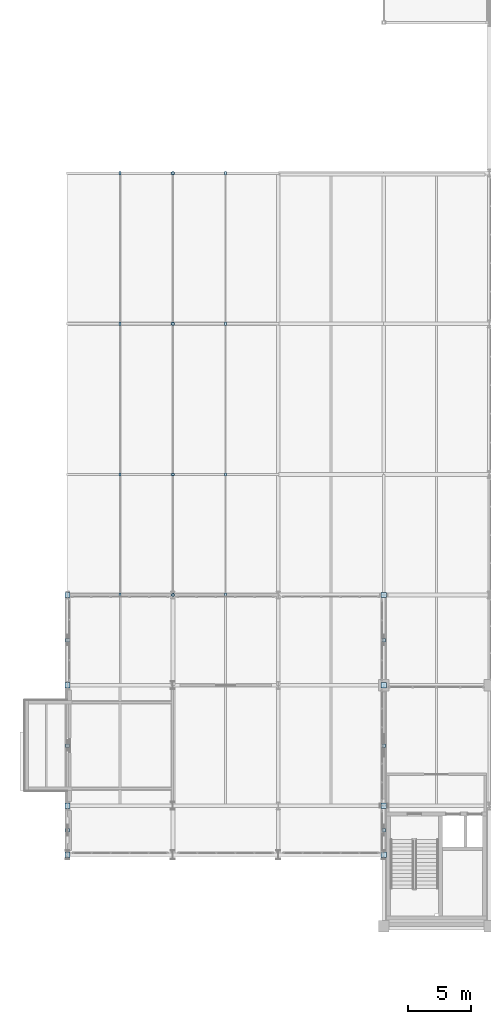
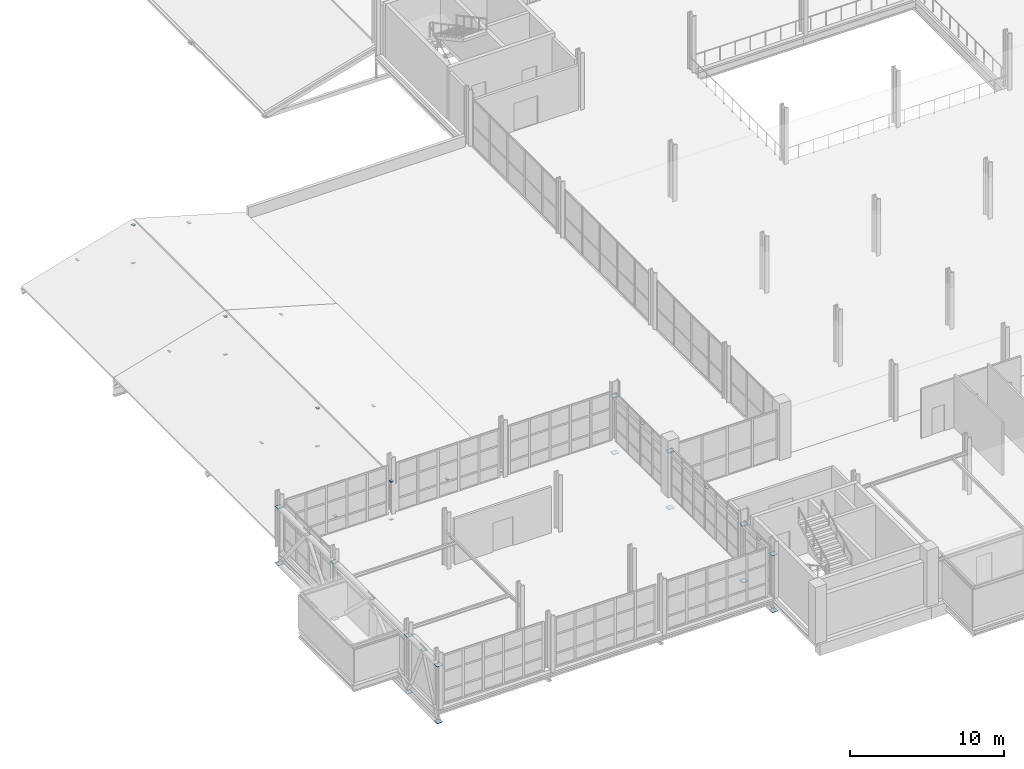
# One storey, part 114 of 130: 42 plates.
"""IFC4 building model written with IfcOpenShell, lengths in metres."""

from ifc_helpers import new_model, si_unit, direction, frame, origin, origin_2d, place, context, subcontext, project, spatial, rectangle, extrude, material, layer, layer_set, type_object, element, save


model = new_model("IFC4")

# Units and contexts
model_context = context("Model", 3, precision=1e-05, world=origin(), true_north=direction((0.0, 1.0)))
body_context = subcontext(model_context, "Body", "Model", "MODEL_VIEW")
ifc_project = project(units=[si_unit("LENGTHUNIT", "METRE"), si_unit("AREAUNIT", "SQUARE_METRE"), si_unit("VOLUMEUNIT", "CUBIC_METRE"), si_unit("PLANEANGLEUNIT", "RADIAN"), si_unit("MASSUNIT", "GRAM", prefix="KILO")], contexts=[model_context])

# Site, building, storey
site_placement = place(None, origin())
site = spatial("IfcSite", under=ifc_project, at=site_placement, CompositionType="ELEMENT")
building_placement = place(site_placement, origin())
building = spatial("IfcBuilding", under=site, at=building_placement, Name="Veltarok Museum of Natural Sciences", CompositionType="ELEMENT")
storey_placement = place(building_placement, frame((0.0, 0.0, 12.89990234375)))
storey = spatial("IfcBuildingStorey", under=building, at=storey_placement, Name="L02", CompositionType="ELEMENT", Elevation=12.89990234375)

# Plates
ifc_material = material(Name="Steel S355J2", Category="steel")
ifc_layer_1 = layer(ifc_material, 0.01611328125)
ifc_layer_set_1 = layer_set([ifc_layer_1], Name="Steel S355J2")
plate_type_1 = type_object("IfcPlateType", Name="Hollow End Closure Plate 260x170x16", PredefinedType="USERDEFINED", material=ifc_layer_set_1)
for number, where, z_axis, x_axis, name in (
    (1, (14.800048828125, 26.39990234375, -0.60400390625), (0.0, 0.0, 1.0), (1.0, 0.0, 0.0), "End Cap Plate CP-180 380"),
    (2, (14.800048828125, 26.39990234375, 2.44921875), (0.0, 0.0, 1.0), (1.0, 0.0, 0.0), "End Cap Plate CP-180 381"),
    (3, (14.800048828125, 36.0, -0.60400390625), (0.0, 0.0, 1.0), (1.0, 0.0, 0.0), "End Cap Plate CP-180 382"),
    (4, (14.800048828125, 36.0, 2.44921875), (0.0, 0.0, 1.0), (1.0, 0.0, 0.0), "End Cap Plate CP-180 383"),
    (5, (14.800048828125, 48.0, -0.60400390625), (0.0, 0.0, 1.0), (1.0, 0.0, 0.0), "End Cap Plate CP-180 384"),
    (6, (14.800048828125, 48.0, 2.44921875), (0.0, 0.0, 1.0), (1.0, 0.0, 0.0), "End Cap Plate CP-180 385"),
    (7, (14.800048828125, 60.0, -0.60400390625), (0.0, 0.0, 1.0), (1.0, 0.0, 0.0), "End Cap Plate CP-180 386"),
    (8, (14.800048828125, 60.0, 2.44921875), (0.0, 0.0, 1.0), (1.0, 0.0, 0.0), "End Cap Plate CP-180 387"),
    (9, (14.800048828125, 26.404052734375, 2.4130859375), (0.0, 0.0, 1.0), (0.0, 1.0, 0.0), "End Cap Plate CP-180 388"),
    (10, (14.800048828125, 35.99609375, 2.4130859375), (0.0, 0.0, 1.0), (0.0, 1.0, 0.0), "End Cap Plate CP-180 389"),
    (11, (14.800048828125, 47.99609375, 2.4130859375), (0.0, 0.0, 1.0), (0.0, 1.0, 0.0), "End Cap Plate CP-180 390"),
    (12, (14.800048828125, 59.99609375, 2.4130859375), (0.0, 0.0, 1.0), (0.0, 1.0, 0.0), "End Cap Plate CP-180 391"),
    (13, (10.60009765625, 26.404052734375, 1.128173828125), (0.0, 0.0, 1.0), (0.0, 1.0, 0.0), "End Cap Plate CP-180 392"),
    (14, (10.60009765625, 35.99609375, 1.128173828125), (0.0, 0.0, 1.0), (0.0, 1.0, 0.0), "End Cap Plate CP-180 393"),
    (15, (10.60009765625, 47.99609375, 1.128173828125), (0.0, 0.0, 1.0), (0.0, 1.0, 0.0), "End Cap Plate CP-180 394"),
    (16, (10.60009765625, 59.99609375, 1.128173828125), (0.0, 0.0, 1.0), (0.0, 1.0, 0.0), "End Cap Plate CP-180 395"),
    (17, (19.0, 26.404052734375, 1.128173828125), (0.0, 0.0, 1.0), (0.0, 1.0, 0.0), "End Cap Plate CP-180 396"),
    (18, (19.0, 35.99609375, 1.128173828125), (0.0, 0.0, 1.0), (0.0, 1.0, 0.0), "End Cap Plate CP-180 397"),
    (19, (19.0, 47.99609375, 1.128173828125), (0.0, 0.0, 1.0), (0.0, 1.0, 0.0), "End Cap Plate CP-180 398"),
    (20, (19.0, 59.99609375, 1.128173828125), (0.0, 0.0, 1.0), (0.0, 1.0, 0.0), "End Cap Plate CP-180 399"),
):
    element("IfcPlate", number, at=place(storey_placement, frame(where, z_axis=z_axis, x_axis=x_axis)), inside=storey, type_object=plate_type_1, Name=name, ObjectType="END CAP PLATE", PredefinedType="USERDEFINED", context=body_context, shape_type="SweptSolid", body=[
        extrude(rectangle(XDim=0.260009765625, YDim=0.169921875, at=origin_2d()), origin(), (0.0, 0.0, 1.0), 0.01611328125),
    ])
ifc_layer_2 = layer(ifc_material, 0.02001953125)
ifc_layer_set_2 = layer_set([ifc_layer_2], Name="Steel S355J2")
plate_type_2 = type_object("IfcPlateType", Name="Hollow End Closure Plate D290x20", PredefinedType="USERDEFINED", material=ifc_layer_set_2)
for number, where, z_axis, x_axis, name in (
    (21, (6.39990234375, 7.6484375, 3.31640625), (0.0, 0.0, 1.0), (0.0, 1.0, 0.0), "End Cap Plate CP-273 182"),
    (22, (6.39990234375, 14.39697265625, 3.3173828125), (0.0, 0.0, 1.0), (0.0, 1.0, 0.0), "End Cap Plate CP-273 185"),
    (23, (6.39990234375, 22.797607421875, 3.31689453125), (0.0, 0.0, 1.0), (0.0, 1.0, 0.0), "End Cap Plate CP-273 188"),
    (24, (31.60009765625, 7.6484375, 3.31640625), (0.0, 0.0, 1.0), (0.0, 1.0, 0.0), "End Cap Plate CP-273 193"),
    (25, (31.60009765625, 14.39697265625, 3.3173828125), (0.0, 0.0, 1.0), (0.0, 1.0, 0.0), "End Cap Plate CP-273 196"),
    (26, (31.60009765625, 22.797607421875, 3.31689453125), (0.0, 0.0, 1.0), (0.0, 1.0, 0.0), "End Cap Plate CP-273 199"),
):
    element("IfcPlate", number, at=place(storey_placement, frame(where, z_axis=z_axis, x_axis=x_axis)), inside=storey, type_object=plate_type_2, Name=name, ObjectType="END CAP PLATE", PredefinedType="USERDEFINED", context=body_context, shape_type="SweptSolid", body=[
        extrude(rectangle(XDim=0.2900390625, YDim=0.2900390625, at=origin_2d()), origin(), (0.0, 0.0, 1.0), 0.02001953125),
    ])
ifc_layer_3 = layer(ifc_material, 0.02001953125)
ifc_layer_set_3 = layer_set([ifc_layer_3], Name="Steel S355J2")
plate_type_3 = type_object("IfcPlateType", Name="Hollow End Closure Plate D420x20", PredefinedType="USERDEFINED", material=ifc_layer_set_3)
for number, where, z_axis, x_axis, name in (
    (27, (6.39990234375, 5.7041015625, -1.179931640625), (0.0, 0.0, 1.0), (0.0, 1.0, 0.0), "End Cap Plate CP-406 178"),
    (28, (6.39990234375, 9.595947265625, -1.179931640625), (0.0, 0.0, 1.0), (0.0, 1.0, 0.0), "End Cap Plate CP-406 179"),
    (29, (6.39990234375, 5.7041015625, 3.320068359375), (0.0, 0.0, 1.0), (0.0, 1.0, 0.0), "End Cap Plate CP-406 180"),
    (30, (6.39990234375, 9.595947265625, 3.320068359375), (0.0, 0.0, 1.0), (0.0, 1.0, 0.0), "End Cap Plate CP-406 181"),
    (31, (6.39990234375, 19.196044921875, -1.179931640625), (0.0, 0.0, 1.0), (0.0, 1.0, 0.0), "End Cap Plate CP-406 183"),
    (32, (6.39990234375, 19.196044921875, 3.320068359375), (0.0, 0.0, 1.0), (0.0, 1.0, 0.0), "End Cap Plate CP-406 184"),
    (33, (6.39990234375, 26.39599609375, -1.179931640625), (0.0, 0.0, 1.0), (0.0, 1.0, 0.0), "End Cap Plate CP-406 186"),
    (34, (6.39990234375, 26.39599609375, 3.320068359375), (0.0, 0.0, 1.0), (0.0, 1.0, 0.0), "End Cap Plate CP-406 187"),
    (35, (31.60009765625, 5.7041015625, -1.179931640625), (0.0, 0.0, 1.0), (0.0, 1.0, 0.0), "End Cap Plate CP-406 189"),
    (36, (31.60009765625, 9.595947265625, -1.179931640625), (0.0, 0.0, 1.0), (0.0, 1.0, 0.0), "End Cap Plate CP-406 190"),
    (37, (31.60009765625, 5.7041015625, 3.320068359375), (0.0, 0.0, 1.0), (0.0, 1.0, 0.0), "End Cap Plate CP-406 191"),
    (38, (31.60009765625, 9.595947265625, 3.320068359375), (0.0, 0.0, 1.0), (0.0, 1.0, 0.0), "End Cap Plate CP-406 192"),
    (39, (31.60009765625, 19.196044921875, -1.179931640625), (0.0, 0.0, 1.0), (0.0, 1.0, 0.0), "End Cap Plate CP-406 194"),
    (40, (31.60009765625, 19.196044921875, 3.320068359375), (0.0, 0.0, 1.0), (0.0, 1.0, 0.0), "End Cap Plate CP-406 195"),
    (41, (31.60009765625, 26.39599609375, -1.179931640625), (0.0, 0.0, 1.0), (0.0, 1.0, 0.0), "End Cap Plate CP-406 197"),
    (42, (31.60009765625, 26.39599609375, 3.320068359375), (0.0, 0.0, 1.0), (0.0, 1.0, 0.0), "End Cap Plate CP-406 198"),
):
    element("IfcPlate", number, at=place(storey_placement, frame(where, z_axis=z_axis, x_axis=x_axis)), inside=storey, type_object=plate_type_3, Name=name, ObjectType="END CAP PLATE", PredefinedType="USERDEFINED", context=body_context, shape_type="SweptSolid", body=[
        extrude(rectangle(XDim=0.419921875, YDim=0.419921875, at=origin_2d()), origin(), (0.0, 0.0, 1.0), 0.02001953125),
    ])

save(model, "model.ifc")
